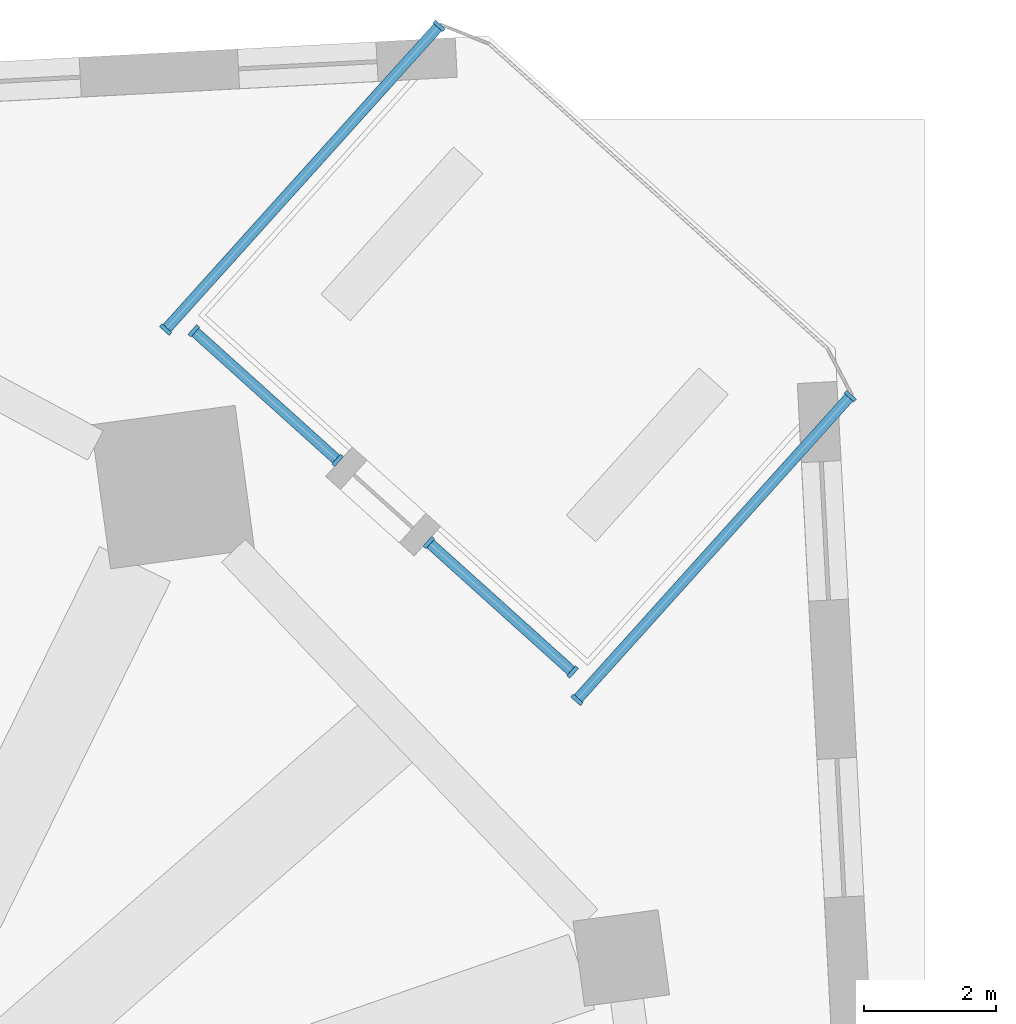
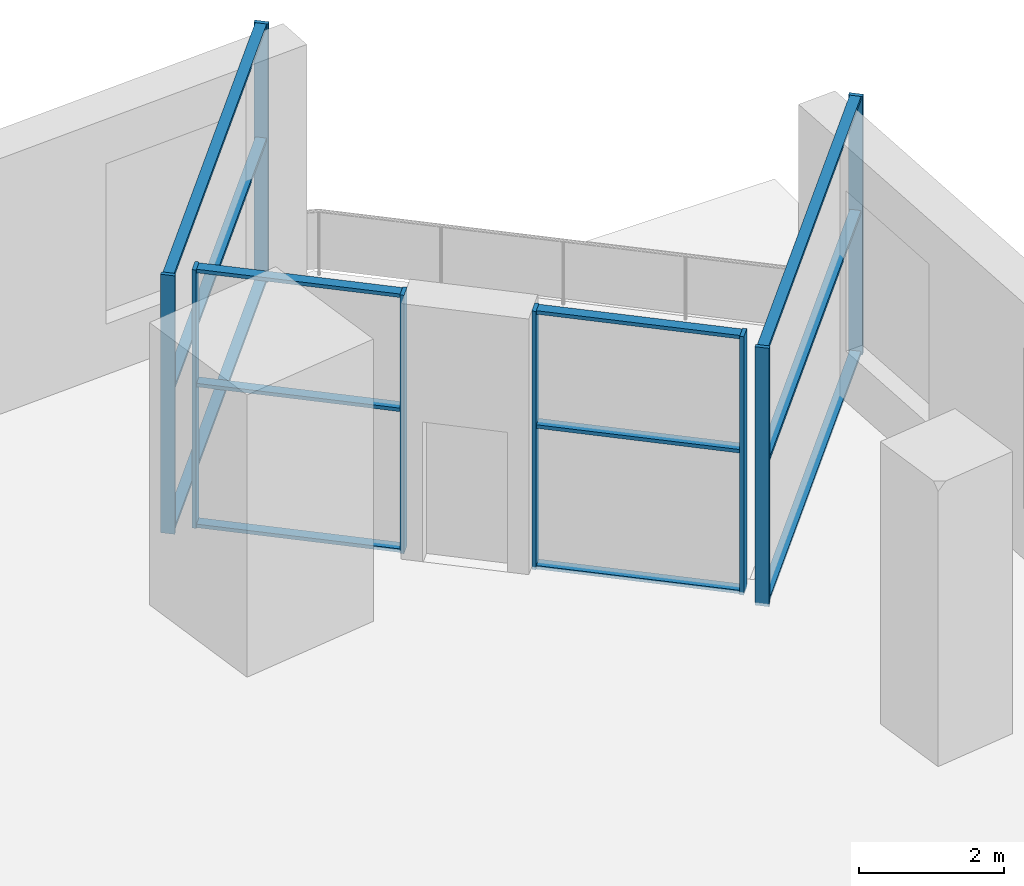
# One storey, part 2 of 10: 20 members, 4 elements without a shape of their own.
"""IFC4 building model written with IfcOpenShell, lengths in metres."""

from ifc_helpers import new_model, si_unit, direction, frame, origin, origin_2d, place, context, subcontext, project, spatial, rectangle, extrude, material, material_profile, profile_set, type_object, element, aggregate, save


model = new_model("IFC4")

# Units and contexts
model_context = context("Model", 3, precision=1e-05, world=origin(), true_north=direction((0.0, 1.0)))
body_context = subcontext(model_context, "Body", "Model", "MODEL_VIEW")
ifc_project = project(units=[si_unit("LENGTHUNIT", "METRE"), si_unit("AREAUNIT", "SQUARE_METRE"), si_unit("VOLUMEUNIT", "CUBIC_METRE"), si_unit("PLANEANGLEUNIT", "RADIAN"), si_unit("MASSUNIT", "GRAM", prefix="KILO")], contexts=[model_context])

# Site, building, storey
site_placement = place(None, origin())
site = spatial("IfcSite", under=ifc_project, at=site_placement, CompositionType="ELEMENT")
building_placement = place(site_placement, origin())
building = spatial("IfcBuilding", under=site, at=building_placement, Name="Dilmun Exchange Tower", CompositionType="ELEMENT")
storey_placement = place(building_placement, frame((0.0, 0.0, 22.5)))
storey = spatial("IfcBuildingStorey", under=building, at=storey_placement, Name="L05", CompositionType="ELEMENT", Elevation=22.5)

# Curtain wall, members
ifc_material_1 = material(Name="Anodised aluminium and clear glass", Category="aluminium")
curtain_wall_type = type_object("IfcCurtainWallType", Name="Garden corner glazing", PredefinedType="NOTDEFINED", material=ifc_material_1)
curtain_wall_1_placement = place(storey_placement, origin())
curtain_wall_1 = element("IfcCurtainWall", 1, at=curtain_wall_1_placement, inside=storey, type_object=curtain_wall_type, Name="Garden corner glazing run GC1.1", PredefinedType="NOTDEFINED")
ifc_material_2 = material(Name="Anodised aluminium", Category="aluminium")
ifc_material_profile_1 = material_profile(ifc_material_2, rectangle(XDim=0.199951171875, YDim=0.06005859375, at=origin_2d()), Name="AL 60x200")
ifc_profile_set_1 = profile_set([ifc_material_profile_1], Name="Anodised aluminium")
member_type_1 = type_object("IfcMemberType", Name="Garden corner glazing mullion 60 x 200", PredefinedType="MULLION", material=ifc_profile_set_1)
member_1_placement = place(storey_placement, frame((28.879638671875, 25.8134765625, 0.0), z_axis=(0.0, 0.0, 1.0), x_axis=(0.743150048737, -0.669124805296, 0.0)))
member_1 = element("IfcMember", 2, at=member_1_placement, type_object=member_type_1, Name="GC1.1 mullion 1", PredefinedType="MULLION", context=body_context, shape_type="SweptSolid", body=[
    extrude(rectangle(XDim=0.199951171875, YDim=0.06005859375, at=origin_2d()), origin(), (0.0, 0.0, 1.0), 4.35009765625),
])
member_2_placement = place(storey_placement, frame((24.739990234375, 21.216064453125, 0.0), z_axis=(0.0, 0.0, 1.0), x_axis=(0.743150048737, -0.669124805296, 0.0)))
member_2 = element("IfcMember", 3, at=member_2_placement, type_object=member_type_1, Name="GC1.1 mullion 2", PredefinedType="MULLION", context=body_context, shape_type="SweptSolid", body=[
    extrude(rectangle(XDim=0.199951171875, YDim=0.06005859375, at=origin_2d()), origin(), (0.0, 0.0, 1.0), 4.35009765625),
])

curtain_wall_2_placement = place(storey_placement, origin())
curtain_wall_2 = element("IfcCurtainWall", 4, at=curtain_wall_2_placement, inside=storey, type_object=curtain_wall_type, Name="Garden corner glazing run GC2.1", PredefinedType="NOTDEFINED")
member_3_placement = place(storey_placement, frame((24.67529296875, 21.637451171875, 0.0), z_axis=(0.0, 0.0, 1.0), x_axis=(-0.669136610404, -0.743139419367, 0.0)))
member_3 = element("IfcMember", 5, at=member_3_placement, type_object=member_type_1, Name="GC2.1 mullion 1", PredefinedType="MULLION", context=body_context, shape_type="SweptSolid", body=[
    extrude(rectangle(XDim=0.199951171875, YDim=0.06005859375, at=origin_2d()), origin(), (0.0, 0.0, 1.0), 4.35009765625),
])
member_4_placement = place(storey_placement, frame((22.498779296875, 23.597412109375, 0.0), z_axis=(0.0, 0.0, 1.0), x_axis=(-0.669136610404, -0.743139419367, 0.0)))
member_4 = element("IfcMember", 6, at=member_4_placement, type_object=member_type_1, Name="GC2.1 mullion 2", PredefinedType="MULLION", context=body_context, shape_type="SweptSolid", body=[
    extrude(rectangle(XDim=0.199951171875, YDim=0.06005859375, at=origin_2d()), origin(), (0.0, 0.0, 1.0), 4.35009765625),
])

curtain_wall_3_placement = place(storey_placement, origin())
curtain_wall_3 = element("IfcCurtainWall", 7, at=curtain_wall_3_placement, inside=storey, type_object=curtain_wall_type, Name="Garden corner glazing run GC2.3", PredefinedType="NOTDEFINED")
member_5_placement = place(storey_placement, frame((21.116455078125, 24.842041015625, 0.0), z_axis=(0.0, 0.0, 1.0), x_axis=(-0.669118133962, -0.743156055484, 0.0)))
member_5 = element("IfcMember", 8, at=member_5_placement, type_object=member_type_1, Name="GC2.3 mullion 1", PredefinedType="MULLION", context=body_context, shape_type="SweptSolid", body=[
    extrude(rectangle(XDim=0.199951171875, YDim=0.06005859375, at=origin_2d()), origin(), (0.0, 0.0, 1.0), 4.35009765625),
])
member_6_placement = place(storey_placement, frame((18.939697265625, 26.802001953125, 0.0), z_axis=(0.0, 0.0, 1.0), x_axis=(-0.669118133962, -0.743156055484, 0.0)))
member_6 = element("IfcMember", 9, at=member_6_placement, type_object=member_type_1, Name="GC2.3 mullion 2", PredefinedType="MULLION", context=body_context, shape_type="SweptSolid", body=[
    extrude(rectangle(XDim=0.199951171875, YDim=0.06005859375, at=origin_2d()), origin(), (0.0, 0.0, 1.0), 4.35009765625),
])

curtain_wall_4_placement = place(storey_placement, origin())
curtain_wall_4 = element("IfcCurtainWall", 10, at=curtain_wall_4_placement, inside=storey, type_object=curtain_wall_type, Name="Garden corner glazing run GC3.1", PredefinedType="NOTDEFINED")
member_7_placement = place(storey_placement, frame((18.513671875, 26.822021484375, 0.0), z_axis=(0.0, 0.0, 1.0), x_axis=(-0.743150048737, 0.669124805296, 0.0)))
member_7 = element("IfcMember", 11, at=member_7_placement, type_object=member_type_1, Name="GC3.1 mullion 1", PredefinedType="MULLION", context=body_context, shape_type="SweptSolid", body=[
    extrude(rectangle(XDim=0.199951171875, YDim=0.06005859375, at=origin_2d()), origin(), (0.0, 0.0, 1.0), 4.35009765625),
])
member_8_placement = place(storey_placement, frame((22.6533203125, 31.419677734375, 0.0), z_axis=(0.0, 0.0, 1.0), x_axis=(-0.743150048737, 0.669124805296, 0.0)))
member_8 = element("IfcMember", 12, at=member_8_placement, type_object=member_type_1, Name="GC3.1 mullion 2", PredefinedType="MULLION", context=body_context, shape_type="SweptSolid", body=[
    extrude(rectangle(XDim=0.199951171875, YDim=0.06005859375, at=origin_2d()), origin(), (0.0, 0.0, 1.0), 4.35009765625),
])

# Member
ifc_material_profile_2 = material_profile(ifc_material_2, rectangle(XDim=0.159912109375, YDim=0.06005859375, at=origin_2d()), Name="AL 60x160")
ifc_profile_set_2 = profile_set([ifc_material_profile_2], Name="Anodised aluminium")
member_type_2 = type_object("IfcMemberType", Name="Garden corner glazing transom 60 x 160", PredefinedType="USERDEFINED", material=ifc_profile_set_2)
member_9_placement = place(storey_placement, frame((28.859375, 25.791259765625, 0.030029296875), z_axis=(-0.669116630944, -0.743157408759, 0.0), x_axis=(0.743157408759, -0.669116630944, 0.0)))
member_9 = element("IfcMember", 13, at=member_9_placement, type_object=member_type_2, Name="GC1.1 transom 1.1", ObjectType="TRANSOM", PredefinedType="USERDEFINED", context=body_context, shape_type="SweptSolid", body=[
    extrude(rectangle(XDim=0.159912109375, YDim=0.06005859375, at=origin_2d()), origin(), (0.0, 0.0, 1.0), 6.12646484375),
])

member_10_placement = place(storey_placement, frame((28.859375, 25.791259765625, 2.39990234375), z_axis=(-0.669116630944, -0.743157408759, 0.0), x_axis=(0.743157408759, -0.669116630944, 0.0)))
member_10 = element("IfcMember", 14, at=member_10_placement, type_object=member_type_2, Name="GC1.1 transom 1.2", ObjectType="TRANSOM", PredefinedType="USERDEFINED", context=body_context, shape_type="SweptSolid", body=[
    extrude(rectangle(XDim=0.159912109375, YDim=0.06005859375, at=origin_2d()), origin(), (0.0, 0.0, 1.0), 6.12646484375),
])

member_11_placement = place(storey_placement, frame((28.859375, 25.791259765625, 4.320068359375), z_axis=(-0.669116630944, -0.743157408759, 0.0), x_axis=(0.743157408759, -0.669116630944, 0.0)))
member_11 = element("IfcMember", 15, at=member_11_placement, type_object=member_type_2, Name="GC1.1 transom 1.3", ObjectType="TRANSOM", PredefinedType="USERDEFINED", context=body_context, shape_type="SweptSolid", body=[
    extrude(rectangle(XDim=0.159912109375, YDim=0.06005859375, at=origin_2d()), origin(), (0.0, 0.0, 1.0), 6.12646484375),
])

aggregate(curtain_wall_1, [member_1, member_2, member_9, member_10, member_11])

member_12_placement = place(storey_placement, frame((24.653076171875, 21.657470703125, 0.030029296875), z_axis=(-0.743112180802, 0.669166860166, 0.0), x_axis=(-0.669166860166, -0.743112180802, 0.0)))
member_12 = element("IfcMember", 16, at=member_12_placement, type_object=member_type_2, Name="GC2.1 transom 1.1", ObjectType="TRANSOM", PredefinedType="USERDEFINED", context=body_context, shape_type="SweptSolid", body=[
    extrude(rectangle(XDim=0.159912109375, YDim=0.06005859375, at=origin_2d()), origin(), (0.0, 0.0, 1.0), 2.869140625),
])

member_13_placement = place(storey_placement, frame((24.653076171875, 21.657470703125, 2.39990234375), z_axis=(-0.743112180802, 0.669166860166, 0.0), x_axis=(-0.669166860166, -0.743112180802, 0.0)))
member_13 = element("IfcMember", 17, at=member_13_placement, type_object=member_type_2, Name="GC2.1 transom 1.2", ObjectType="TRANSOM", PredefinedType="USERDEFINED", context=body_context, shape_type="SweptSolid", body=[
    extrude(rectangle(XDim=0.159912109375, YDim=0.06005859375, at=origin_2d()), origin(), (0.0, 0.0, 1.0), 2.869140625),
])

member_14_placement = place(storey_placement, frame((24.653076171875, 21.657470703125, 4.320068359375), z_axis=(-0.743112180802, 0.669166860166, 0.0), x_axis=(-0.669166860166, -0.743112180802, 0.0)))
member_14 = element("IfcMember", 18, at=member_14_placement, type_object=member_type_2, Name="GC2.1 transom 1.3", ObjectType="TRANSOM", PredefinedType="USERDEFINED", context=body_context, shape_type="SweptSolid", body=[
    extrude(rectangle(XDim=0.159912109375, YDim=0.06005859375, at=origin_2d()), origin(), (0.0, 0.0, 1.0), 2.869140625),
])

aggregate(curtain_wall_2, [member_3, member_4, member_12, member_13, member_14])

member_15_placement = place(storey_placement, frame((21.093994140625, 24.862060546875, 0.030029296875), z_axis=(-0.743154495301, 0.669119866776, 0.0), x_axis=(-0.669119866776, -0.743154495301, 0.0)))
member_15 = element("IfcMember", 19, at=member_15_placement, type_object=member_type_2, Name="GC2.3 transom 1.1", ObjectType="TRANSOM", PredefinedType="USERDEFINED", context=body_context, shape_type="SweptSolid", body=[
    extrude(rectangle(XDim=0.159912109375, YDim=0.06005859375, at=origin_2d()), origin(), (0.0, 0.0, 1.0), 2.868896484375),
])

member_16_placement = place(storey_placement, frame((21.093994140625, 24.862060546875, 2.39990234375), z_axis=(-0.743154495301, 0.669119866776, 0.0), x_axis=(-0.669119866776, -0.743154495301, 0.0)))
member_16 = element("IfcMember", 20, at=member_16_placement, type_object=member_type_2, Name="GC2.3 transom 1.2", ObjectType="TRANSOM", PredefinedType="USERDEFINED", context=body_context, shape_type="SweptSolid", body=[
    extrude(rectangle(XDim=0.159912109375, YDim=0.06005859375, at=origin_2d()), origin(), (0.0, 0.0, 1.0), 2.868896484375),
])

member_17_placement = place(storey_placement, frame((21.093994140625, 24.862060546875, 4.320068359375), z_axis=(-0.743154495301, 0.669119866776, 0.0), x_axis=(-0.669119866776, -0.743154495301, 0.0)))
member_17 = element("IfcMember", 21, at=member_17_placement, type_object=member_type_2, Name="GC2.3 transom 1.3", ObjectType="TRANSOM", PredefinedType="USERDEFINED", context=body_context, shape_type="SweptSolid", body=[
    extrude(rectangle(XDim=0.159912109375, YDim=0.06005859375, at=origin_2d()), origin(), (0.0, 0.0, 1.0), 2.868896484375),
])

aggregate(curtain_wall_3, [member_5, member_6, member_15, member_16, member_17])

member_18_placement = place(storey_placement, frame((18.533935546875, 26.844482421875, 0.030029296875), z_axis=(0.669136446924, 0.743139566568, 0.0), x_axis=(-0.743139566568, 0.669136446924, 0.0)))
member_18 = element("IfcMember", 22, at=member_18_placement, type_object=member_type_2, Name="GC3.1 transom 1.1", ObjectType="TRANSOM", PredefinedType="USERDEFINED", context=body_context, shape_type="SweptSolid", body=[
    extrude(rectangle(XDim=0.159912109375, YDim=0.06005859375, at=origin_2d()), origin(), (0.0, 0.0, 1.0), 6.12646484375),
])

member_19_placement = place(storey_placement, frame((18.533935546875, 26.844482421875, 2.39990234375), z_axis=(0.669136446924, 0.743139566568, 0.0), x_axis=(-0.743139566568, 0.669136446924, 0.0)))
member_19 = element("IfcMember", 23, at=member_19_placement, type_object=member_type_2, Name="GC3.1 transom 1.2", ObjectType="TRANSOM", PredefinedType="USERDEFINED", context=body_context, shape_type="SweptSolid", body=[
    extrude(rectangle(XDim=0.159912109375, YDim=0.06005859375, at=origin_2d()), origin(), (0.0, 0.0, 1.0), 6.12646484375),
])

member_20_placement = place(storey_placement, frame((18.533935546875, 26.844482421875, 4.320068359375), z_axis=(0.669136446924, 0.743139566568, 0.0), x_axis=(-0.743139566568, 0.669136446924, 0.0)))
member_20 = element("IfcMember", 24, at=member_20_placement, type_object=member_type_2, Name="GC3.1 transom 1.3", ObjectType="TRANSOM", PredefinedType="USERDEFINED", context=body_context, shape_type="SweptSolid", body=[
    extrude(rectangle(XDim=0.159912109375, YDim=0.06005859375, at=origin_2d()), origin(), (0.0, 0.0, 1.0), 6.12646484375),
])

aggregate(curtain_wall_4, [member_7, member_8, member_18, member_19, member_20])

save(model, "model.ifc")
